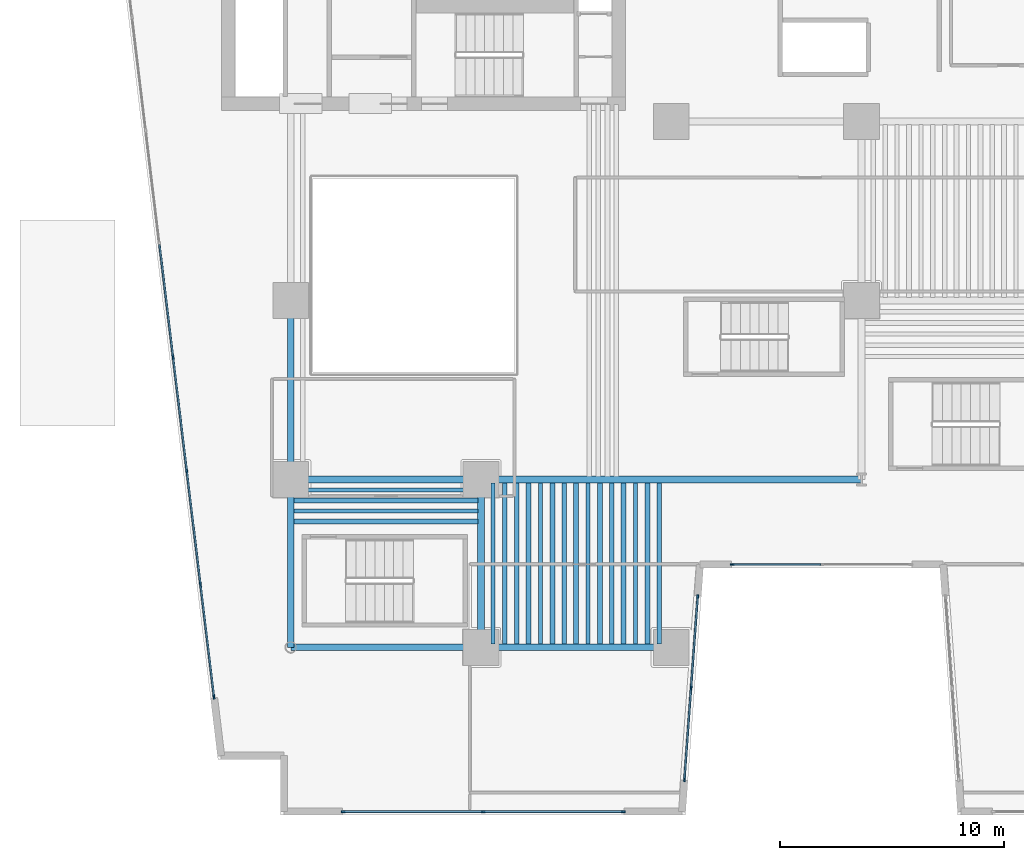
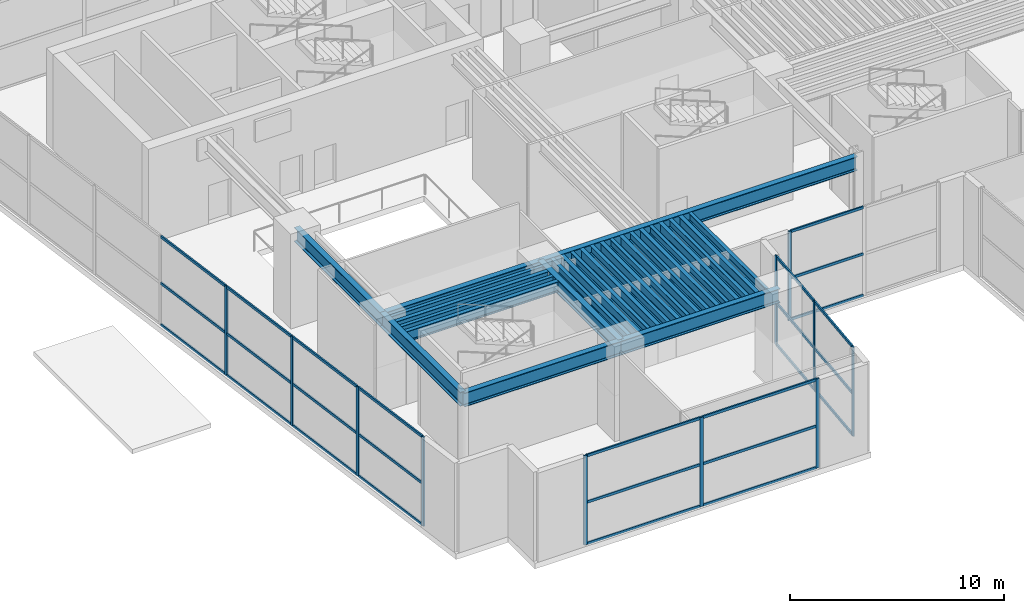
# One storey, part 2 of 17: 38 members, 26 beams, 4 elements without a shape of their own.
"""IFC4 building model written with IfcOpenShell, lengths in metres."""

import ifcopenshell
import ifcopenshell.guid

model = None  # the IFC model being written
_history = None  # IfcOwnerHistory: only IFC2X3 demands one
_inside = {}  # id of a spatial element -> (the spatial element, [elements in it])
_under = {}  # id of a project, library or spatial element -> (it, [spatial elements below it])
_declared = {}  # id of a project -> (the project, [libraries it declares])
_typed = {}  # id of a type object -> (the type object, [elements of that type])
_made_of = {}  # id of a material, layer set ... -> (it, [elements and type objects made of it])


def new_model(schema):
    """Start an empty IFC model of exactly this schema.

    Asked for "IFC4X3", IfcOpenShell would pick the latest addendum, in which some entities
    have other attributes; the version numbers below select the first issue.
    IFC2X3 requires an IfcOwnerHistory on every rooted entity: one is made here for all.
    """
    global model, _history
    if schema == "IFC4X3":
        model = ifcopenshell.file(schema_version=(4, 3, 0, 0))
    else:
        model = ifcopenshell.file(schema=schema)
    _inside.clear()
    _under.clear()
    _declared.clear()
    _typed.clear()
    _made_of.clear()
    _history = None
    if model.schema == "IFC2X3":
        org = make("IfcOrganization", Name="unknown")
        user = make(
            "IfcPersonAndOrganization",
            ThePerson=make("IfcPerson", FamilyName="unknown"),
            TheOrganization=org,
        )
        app = make(
            "IfcApplication",
            ApplicationDeveloper=org,
            Version="unknown",
            ApplicationFullName="unknown",
            ApplicationIdentifier="unknown",
        )
        _history = make(
            "IfcOwnerHistory",
            OwningUser=user,
            OwningApplication=app,
            ChangeAction="ADDED",
            CreationDate=0,
        )
    return model


def make(cls, **values):
    """One entity of the class cls with the attributes given. An attribute that is None is left unset."""
    return model.create_entity(
        cls, **{name: value for name, value in values.items() if value is not None}
    )


def rooted(cls, **values):
    """An entity with a GlobalId (a new one), such as an element, a storey or a relation."""
    return make(cls, GlobalId=ifcopenshell.guid.new(), OwnerHistory=_history, **values)


def si_unit(unit_type, name, prefix=None):
    """IfcSIUnit, for example si_unit("LENGTHUNIT", "METRE", prefix="MILLI")."""
    return make("IfcSIUnit", UnitType=unit_type, Prefix=prefix, Name=name)


def assignment(units):
    """IfcUnitAssignment: the units of a project."""
    return None if units is None else make("IfcUnitAssignment", Units=units)


def point(xyz):
    """IfcCartesianPoint."""
    return None if xyz is None else make("IfcCartesianPoint", Coordinates=xyz)


def direction(xyz):
    """IfcDirection."""
    return None if xyz is None else make("IfcDirection", DirectionRatios=xyz)


def frame(location, z_axis=None, x_axis=None):
    """IfcAxis2Placement3D, a coordinate frame: its origin and axes. An axis left out is left unset."""
    return make(
        "IfcAxis2Placement3D",
        Location=point(location),
        Axis=direction(z_axis),
        RefDirection=direction(x_axis),
    )


def frame_2d(location, x_axis=None):
    """IfcAxis2Placement2D, a coordinate frame in the plane: its origin and x axis."""
    return make(
        "IfcAxis2Placement2D", Location=point(location), RefDirection=direction(x_axis)
    )


def origin():
    """The frame at (0, 0, 0) with its axes left unset."""
    return frame((0.0, 0.0, 0.0))


def origin_2d():
    """The frame at (0, 0) in the plane with its x axis left unset."""
    return frame_2d((0.0, 0.0))


def place(relative_to, where):
    """IfcLocalPlacement: puts the frame where relative to a parent placement (None: the world)."""
    return make(
        "IfcLocalPlacement", PlacementRelTo=relative_to, RelativePlacement=where
    )


def context(
    kind, dimensions, precision=None, world=None, true_north=None, identifier=None
):
    """IfcGeometricRepresentationContext, for example the 3D "Model" context."""
    return make(
        "IfcGeometricRepresentationContext",
        ContextIdentifier=identifier,
        ContextType=kind,
        CoordinateSpaceDimension=dimensions,
        Precision=precision,
        WorldCoordinateSystem=world,
        TrueNorth=true_north,
    )


def subcontext(parent, identifier, kind, view, scale=None):
    """IfcGeometricRepresentationSubContext, for example "Body" below "Model"."""
    return make(
        "IfcGeometricRepresentationSubContext",
        ContextIdentifier=identifier,
        ContextType=kind,
        ParentContext=parent,
        TargetScale=scale,
        TargetView=view,
    )


def project(units=None, contexts=None):
    """IfcProject with its units and contexts."""
    return rooted(
        "IfcProject",
        Name="project",
        RepresentationContexts=contexts,
        UnitsInContext=assignment(units),
    )


def spatial(cls, under=None, at=None, **own):
    """A site, building, storey or space (cls), placed at a placement, below another one or the project."""
    s = rooted(cls, ObjectPlacement=at, **own)
    if under is not None:
        _under.setdefault(under.id(), (under, []))[1].append(s)
    return s


def profile(cls, at=None, kind="AREA", **sizes):
    """A parametric profile (cls). Its sizes go by their IFC names, for example OverallWidth=200.0."""
    return make(cls, ProfileType=kind, Position=at, **sizes)


def rectangle(**sizes):
    """IfcRectangleProfileDef."""
    return profile("IfcRectangleProfileDef", **sizes)


def i_section(**sizes):
    """IfcIShapeProfileDef."""
    return profile("IfcIShapeProfileDef", **sizes)


def extrude(swept, where, along, depth):
    """IfcExtrudedAreaSolid: the profile swept, set in the frame where, extruded along a direction by depth."""
    return make(
        "IfcExtrudedAreaSolid",
        SweptArea=swept,
        Position=where,
        ExtrudedDirection=direction(along),
        Depth=depth,
    )


def shape(context_of_items, identifier, shape_type, items):
    """IfcShapeRepresentation: the items that make up one representation, for example the "Body"."""
    return make(
        "IfcShapeRepresentation",
        ContextOfItems=context_of_items,
        RepresentationIdentifier=identifier,
        RepresentationType=shape_type,
        Items=items,
    )


def material(Name=None, Category=None):
    """IfcMaterial."""
    return make("IfcMaterial", Name=Name, Category=Category)


def layer(
    of_material, thickness, ventilated=None, Name=None, Category=None, Priority=None
):
    """IfcMaterialLayer: one layer of a wall or slab, of a material (None: an air gap)."""
    return make(
        "IfcMaterialLayer",
        Material=of_material,
        LayerThickness=thickness,
        IsVentilated=ventilated,
        Name=Name,
        Category=Category,
        Priority=Priority,
    )


def layer_set(layers, Name=None):
    """IfcMaterialLayerSet."""
    return make("IfcMaterialLayerSet", MaterialLayers=layers, LayerSetName=Name)


def material_profile(
    of_material, cross_section, Name=None, Category=None, Priority=None
):
    """IfcMaterialProfile: a cross section and its material."""
    return make(
        "IfcMaterialProfile",
        Name=Name,
        Material=of_material,
        Profile=cross_section,
        Priority=Priority,
        Category=Category,
    )


def profile_set(profiles, Name=None, composite=None):
    """IfcMaterialProfileSet."""
    return make(
        "IfcMaterialProfileSet",
        Name=Name,
        MaterialProfiles=profiles,
        CompositeProfile=composite,
    )


def made_of(thing, what):
    """Note that an element or type object is made of a material, layer set ...; save() writes the relation."""
    if what is not None:
        _made_of.setdefault(what.id(), (what, []))[1].append(thing)
    return thing


def type_object(cls, material=None, **own):
    """A type object (cls), such as IfcWallType, which elements share."""
    return made_of(rooted(cls, **own), material)


def element(
    cls,
    number,
    at=None,
    inside=None,
    cuts=None,
    type_object=None,
    material=None,
    context=None,
    identifier="Body",
    shape_type=None,
    held_by="IfcProductDefinitionShape",
    body=None,
    shapes=None,
    **own,
):
    """One element of the class cls, such as IfcWall. Its Tag is "e" and its number.

    at: its placement. inside: the storey or other place that contains it. cuts: it is an
    opening in that element (IfcRelVoidsElement). A single representation is given by context,
    identifier, shape_type and body (its items); several are given by shapes. held_by: the class
    of the entity that holds the representations. save() writes the other relations.
    """
    e = rooted(cls, Tag="e%d" % number, ObjectPlacement=at, **own)
    if body is not None:
        shapes = [shape(context, identifier, shape_type, body)]
    if shapes is not None:
        e.Representation = make(held_by, Representations=shapes)
    if inside is not None:
        _inside.setdefault(inside.id(), (inside, []))[1].append(e)
    if cuts is not None:
        rooted(
            "IfcRelVoidsElement", RelatingBuildingElement=cuts, RelatedOpeningElement=e
        )
    if type_object is not None:
        _typed.setdefault(type_object.id(), (type_object, []))[1].append(e)
    return made_of(e, material)


def aggregate(whole, parts):
    """IfcRelAggregates: a whole, such as a stair, and the parts it consists of."""
    return rooted("IfcRelAggregates", RelatingObject=whole, RelatedObjects=parts)


def save(model, path):
    """Write the relations noted so far, then the file.

    IfcRelAggregates (storeys below a building ...), IfcRelContainedInSpatialStructure (elements
    in a storey), IfcRelDefinesByType, IfcRelAssociatesMaterial and IfcRelDeclares: one each for
    every whole, place, type object, material and project.
    """
    for whole, parts in _under.values():
        aggregate(whole, parts)
    for where, things in _inside.values():
        rooted(
            "IfcRelContainedInSpatialStructure",
            RelatedElements=things,
            RelatingStructure=where,
        )
    for kind, things in _typed.values():
        rooted("IfcRelDefinesByType", RelatedObjects=things, RelatingType=kind)
    for what, things in _made_of.values():
        rooted("IfcRelAssociatesMaterial", RelatedObjects=things, RelatingMaterial=what)
    for by, libraries in _declared.values():
        rooted("IfcRelDeclares", RelatingContext=by, RelatedDefinitions=libraries)
    model.write(path)


model = new_model("IFC4")

# Units and contexts
model_context = context("Model", 3, precision=1e-05, world=origin(), true_north=direction((0.0, 1.0)))
body_context = subcontext(model_context, "Body", "Model", "MODEL_VIEW")
ifc_project = project(units=[si_unit("LENGTHUNIT", "METRE"), si_unit("AREAUNIT", "SQUARE_METRE"), si_unit("VOLUMEUNIT", "CUBIC_METRE"), si_unit("PLANEANGLEUNIT", "RADIAN"), si_unit("MASSUNIT", "GRAM", prefix="KILO")], contexts=[model_context])

# Site, building, storey
site_placement = place(None, origin())
site = spatial("IfcSite", under=ifc_project, at=site_placement, CompositionType="ELEMENT")
building_placement = place(site_placement, origin())
building = spatial("IfcBuilding", under=site, at=building_placement, Name="Caeloran Harvest Quay", CompositionType="ELEMENT")
storey_placement = place(building_placement, frame((0.0, 0.0, 5.39990234375)))
storey = spatial("IfcBuildingStorey", under=building, at=storey_placement, Name="L02", CompositionType="ELEMENT", Elevation=5.39990234375)

# Beams
ifc_material_1 = material(Name="Steel S355J2", Category="steel")
ifc_material_profile_1 = material_profile(ifc_material_1, i_section(OverallWidth=0.300048828125, OverallDepth=0.800048828125, WebThickness=0.017578125, FlangeThickness=0.032958984375, FilletRadius=0.030029296875, at=origin_2d()), Name="HE 800 B")
ifc_profile_set_1 = profile_set([ifc_material_profile_1], Name="Steel S355J2")
beam_type_1 = type_object("IfcBeamType", Name="BM-PG-1-HE_800_B", PredefinedType="BEAM", material=ifc_profile_set_1)
for number, where, z_axis, x_axis, name in (
    (1, (8.5, 7.5, 4.68017578125), (1.0, 0.0, 0.0), (0.0, 1.0, 0.0), "L02 Primary East-West Girder Y=7.5"),
    (2, (17.0, 7.5, 4.68017578125), (1.0, 0.0, 0.0), (0.0, 1.0, 0.0), "L02 Primary East-West Girder Y=7.5"),
    (3, (8.5, 15.0, 4.68017578125), (1.0, 0.0, 0.0), (0.0, 1.0, 0.0), "L02 Primary East-West Girder Y=15.0"),
):
    element("IfcBeam", number, at=place(storey_placement, frame(where, z_axis=z_axis, x_axis=x_axis)), inside=storey, type_object=beam_type_1, Name=name, PredefinedType="BEAM", context=body_context, shape_type="SweptSolid", body=[
        extrude(i_section(OverallWidth=0.300048828125, OverallDepth=0.800048828125, WebThickness=0.017578125, FlangeThickness=0.032958984375, FilletRadius=0.030029296875, at=origin_2d()), origin(), (0.0, 0.0, 1.0), 8.5),
    ])
beam_1_placement = place(storey_placement, frame((17.0, 15.0, 4.68017578125), z_axis=(1.0, 0.0, 0.0), x_axis=(0.0, 1.0, 0.0)))
element("IfcBeam", 4, at=beam_1_placement, inside=storey, type_object=beam_type_1, Name="L02 Primary East-West Girder Y=15.0", PredefinedType="BEAM", context=body_context, shape_type="SweptSolid", body=[
    extrude(i_section(OverallWidth=0.300048828125, OverallDepth=0.800048828125, WebThickness=0.017578125, FlangeThickness=0.032958984375, FilletRadius=0.030029296875, at=origin_2d()), origin(), (0.0, 0.0, 1.0), 17.0),
])
beam_2_placement = place(storey_placement, frame((8.5, 7.5, 4.68017578125), z_axis=(0.0, 1.0, 0.0), x_axis=(-1.0, 0.0, 0.0)))
element("IfcBeam", 5, at=beam_2_placement, inside=storey, type_object=beam_type_1, Name="L02 Primary North-South Girder X=8.5", PredefinedType="BEAM", context=body_context, shape_type="SweptSolid", body=[
    extrude(i_section(OverallWidth=0.300048828125, OverallDepth=0.800048828125, WebThickness=0.017578125, FlangeThickness=0.032958984375, FilletRadius=0.030029296875, at=origin_2d()), origin(), (0.0, 0.0, 1.0), 7.5),
])
beam_3_placement = place(storey_placement, frame((8.5, 15.0, 4.68017578125), z_axis=(0.0, 1.0, 0.0), x_axis=(-1.0, 0.0, 0.0)))
element("IfcBeam", 6, at=beam_3_placement, inside=storey, type_object=beam_type_1, Name="L02 Primary North-South Girder X=8.5", PredefinedType="BEAM", context=body_context, shape_type="SweptSolid", body=[
    extrude(i_section(OverallWidth=0.300048828125, OverallDepth=0.800048828125, WebThickness=0.017578125, FlangeThickness=0.032958984375, FilletRadius=0.030029296875, at=origin_2d()), origin(), (0.0, 0.0, 1.0), 8.0),
])
beam_4_placement = place(storey_placement, frame((17.0, 7.5, 4.68017578125), z_axis=(0.0, 1.0, 0.0), x_axis=(-1.0, 0.0, 0.0)))
element("IfcBeam", 7, at=beam_4_placement, inside=storey, type_object=beam_type_1, Name="L02 Primary North-South Girder X=17.0", PredefinedType="BEAM", context=body_context, shape_type="SweptSolid", body=[
    extrude(i_section(OverallWidth=0.300048828125, OverallDepth=0.800048828125, WebThickness=0.017578125, FlangeThickness=0.032958984375, FilletRadius=0.030029296875, at=origin_2d()), origin(), (0.0, 0.0, 1.0), 7.5),
])
ifc_material_profile_2 = material_profile(ifc_material_1, i_section(OverallWidth=0.219970703125, OverallDepth=0.60009765625, WebThickness=0.011962890625, FlangeThickness=0.01904296875, FilletRadius=0.02392578125, at=origin_2d()), Name="IPE 600")
ifc_profile_set_2 = profile_set([ifc_material_profile_2], Name="Steel S355J2")
beam_type_2 = type_object("IfcBeamType", Name="BM-SB-1-IPE_600", PredefinedType="JOIST", material=ifc_profile_set_2)
for number, where, z_axis, x_axis, name in (
    (8, (18.0625, 7.64501953125, 4.780029296875), (0.0, 1.0, 0.0), (-1.0, 0.0, 0.0), "L02 Secondary Composite Joist"),
    (9, (19.125, 7.64501953125, 4.780029296875), (0.0, 1.0, 0.0), (-1.0, 0.0, 0.0), "L02 Secondary Composite Joist"),
    (10, (20.1875, 7.64501953125, 4.780029296875), (0.0, 1.0, 0.0), (-1.0, 0.0, 0.0), "L02 Secondary Composite Joist"),
    (11, (21.25, 7.64501953125, 4.780029296875), (0.0, 1.0, 0.0), (-1.0, 0.0, 0.0), "L02 Secondary Composite Joist"),
    (12, (22.3125, 7.64501953125, 4.780029296875), (0.0, 1.0, 0.0), (-1.0, 0.0, 0.0), "L02 Secondary Composite Joist"),
    (13, (23.375, 7.64501953125, 4.780029296875), (0.0, 1.0, 0.0), (-1.0, 0.0, 0.0), "L02 Secondary Composite Joist"),
    (14, (24.4375, 7.64501953125, 4.780029296875), (0.0, 1.0, 0.0), (-1.0, 0.0, 0.0), "L02 Secondary Composite Joist"),
):
    element("IfcBeam", number, at=place(storey_placement, frame(where, z_axis=z_axis, x_axis=x_axis)), inside=storey, type_object=beam_type_2, Name=name, PredefinedType="JOIST", context=body_context, shape_type="SweptSolid", body=[
        extrude(i_section(OverallWidth=0.219970703125, OverallDepth=0.60009765625, WebThickness=0.011962890625, FlangeThickness=0.01904296875, FilletRadius=0.02392578125, at=origin_2d()), origin(), (0.0, 0.0, 1.0), 7.2099609375),
    ])
for number, where, z_axis, x_axis, name in (
    (15, (8.64501953125, 13.125, 4.780029296875), (1.0, 0.0, 0.0), (0.0, 1.0, 0.0), "L02 Secondary East-West Composite Joist"),
    (16, (8.64501953125, 14.0625, 4.780029296875), (1.0, 0.0, 0.0), (0.0, 1.0, 0.0), "L02 Secondary East-West Composite Joist"),
):
    element("IfcBeam", number, at=place(storey_placement, frame(where, z_axis=z_axis, x_axis=x_axis)), inside=storey, type_object=beam_type_2, Name=name, PredefinedType="JOIST", context=body_context, shape_type="SweptSolid", body=[
        extrude(i_section(OverallWidth=0.219970703125, OverallDepth=0.60009765625, WebThickness=0.011962890625, FlangeThickness=0.01904296875, FilletRadius=0.02392578125, at=origin_2d()), origin(), (0.0, 0.0, 1.0), 8.2099609375),
    ])
ifc_material_profile_3 = material_profile(ifc_material_1, i_section(OverallWidth=0.18994140625, OverallDepth=0.449951171875, WebThickness=0.009521484375, FlangeThickness=0.0146484375, FilletRadius=0.02099609375, at=origin_2d()), Name="IPE 450")
ifc_profile_set_3 = profile_set([ifc_material_profile_3], Name="Steel S355J2")
beam_type_3 = type_object("IfcBeamType", Name="BM-SB-3-IPE_450", PredefinedType="JOIST", material=ifc_profile_set_3)
for number, where, z_axis, x_axis, name in (
    (17, (17.53125, 7.64501953125, 4.85498046875), (0.0, 1.0, 0.0), (-1.0, 0.0, 0.0), "L02 Secondary Composite Joist"),
    (18, (18.59375, 7.64501953125, 4.85498046875), (0.0, 1.0, 0.0), (-1.0, 0.0, 0.0), "L02 Secondary Composite Joist"),
    (19, (19.65625, 7.64501953125, 4.85498046875), (0.0, 1.0, 0.0), (-1.0, 0.0, 0.0), "L02 Secondary Composite Joist"),
    (20, (20.71875, 7.64501953125, 4.85498046875), (0.0, 1.0, 0.0), (-1.0, 0.0, 0.0), "L02 Secondary Composite Joist"),
    (21, (21.78125, 7.64501953125, 4.85498046875), (0.0, 1.0, 0.0), (-1.0, 0.0, 0.0), "L02 Secondary Composite Joist"),
    (22, (22.84375, 7.64501953125, 4.85498046875), (0.0, 1.0, 0.0), (-1.0, 0.0, 0.0), "L02 Secondary Composite Joist"),
    (23, (23.90625, 7.64501953125, 4.85498046875), (0.0, 1.0, 0.0), (-1.0, 0.0, 0.0), "L02 Secondary Composite Joist"),
    (24, (24.96875, 7.64501953125, 4.85498046875), (0.0, 1.0, 0.0), (-1.0, 0.0, 0.0), "L02 Secondary Composite Joist"),
):
    element("IfcBeam", number, at=place(storey_placement, frame(where, z_axis=z_axis, x_axis=x_axis)), inside=storey, type_object=beam_type_3, Name=name, PredefinedType="JOIST", context=body_context, shape_type="SweptSolid", body=[
        extrude(i_section(OverallWidth=0.18994140625, OverallDepth=0.449951171875, WebThickness=0.009521484375, FlangeThickness=0.0146484375, FilletRadius=0.02099609375, at=origin_2d()), origin(), (0.0, 0.0, 1.0), 7.2099609375),
    ])
for number, where, z_axis, x_axis, name in (
    (25, (8.64501953125, 13.59375, 4.85498046875), (1.0, 0.0, 0.0), (0.0, 1.0, 0.0), "L02 Secondary East-West Composite Joist"),
    (26, (8.64501953125, 14.53125, 4.85498046875), (1.0, 0.0, 0.0), (0.0, 1.0, 0.0), "L02 Secondary East-West Composite Joist"),
):
    element("IfcBeam", number, at=place(storey_placement, frame(where, z_axis=z_axis, x_axis=x_axis)), inside=storey, type_object=beam_type_3, Name=name, PredefinedType="JOIST", context=body_context, shape_type="SweptSolid", body=[
        extrude(i_section(OverallWidth=0.18994140625, OverallDepth=0.449951171875, WebThickness=0.009521484375, FlangeThickness=0.0146484375, FilletRadius=0.02099609375, at=origin_2d()), origin(), (0.0, 0.0, 1.0), 8.2099609375),
    ])

# Curtain wall, members
ifc_material_2 = material(Name="Aluminium 6063-T6 and Low-E Glazing", Category="aluminium")
ifc_layer = layer(ifc_material_2, 0.179931640625, Name="Aluminium 6063-T6 and Low-E Glazing")
ifc_layer_set = layer_set([ifc_layer], Name="Aluminium 6063-T6 and Low-E Glazing")
curtain_wall_type = type_object("IfcCurtainWallType", Name="CW-SYS-CW-1", PredefinedType="USERDEFINED", material=ifc_layer_set)
curtain_wall_1_placement = place(storey_placement, origin())
curtain_wall_1 = element("IfcCurtainWall", 27, at=curtain_wall_1_placement, inside=storey, type_object=curtain_wall_type, Name="L02 Unitised Curtain Wall CW-1 Run 3", ObjectType="CURTAIN_WALL", PredefinedType="USERDEFINED")
ifc_material_3 = material(Name="Aluminium 6063-T6", Category="aluminium")
ifc_material_profile_4 = material_profile(ifc_material_3, rectangle(XDim=0.080078125, YDim=0.179931640625, at=origin_2d()), Name="CW-MULLION-180")
ifc_profile_set_4 = profile_set([ifc_material_profile_4], Name="Aluminium 6063-T6")
member_type_1 = type_object("IfcMemberType", Name="CW-MULLION-180", PredefinedType="MULLION", material=ifc_profile_set_4)
member_1_placement = place(storey_placement, frame((5.068603515625, 5.281005859375, 0.0), z_axis=(0.0, 0.0, 1.0), x_axis=(-0.992815161093, -0.119658079138, 0.0)))
member_1 = element("IfcMember", 28, at=member_1_placement, type_object=member_type_1, Name="CW-1 mullion 1", PredefinedType="MULLION", context=body_context, shape_type="SweptSolid", body=[
    extrude(rectangle(XDim=0.080078125, YDim=0.179931640625, at=origin_2d()), origin(), (0.0, 0.0, 1.0), 5.080078125),
])
member_2_placement = place(storey_placement, frame((4.4619140625, 10.315185546875, 0.0), z_axis=(0.0, 0.0, 1.0), x_axis=(-0.992815161093, -0.119658079138, 0.0)))
member_2 = element("IfcMember", 29, at=member_2_placement, type_object=member_type_1, Name="CW-1 mullion 2", PredefinedType="MULLION", context=body_context, shape_type="SweptSolid", body=[
    extrude(rectangle(XDim=0.080078125, YDim=0.179931640625, at=origin_2d()), origin(), (0.0, 0.0, 1.0), 5.080078125),
])
member_3_placement = place(storey_placement, frame((3.850341796875, 15.38916015625, 0.0), z_axis=(0.0, 0.0, 1.0), x_axis=(-0.992815161093, -0.119658079138, 0.0)))
member_3 = element("IfcMember", 30, at=member_3_placement, type_object=member_type_1, Name="CW-1 mullion 3", PredefinedType="MULLION", context=body_context, shape_type="SweptSolid", body=[
    extrude(rectangle(XDim=0.080078125, YDim=0.179931640625, at=origin_2d()), origin(), (0.0, 0.0, 1.0), 5.080078125),
])
member_4_placement = place(storey_placement, frame((3.239013671875, 20.463134765625, 0.0), z_axis=(0.0, 0.0, 1.0), x_axis=(-0.992815161093, -0.119658079138, 0.0)))
member_4 = element("IfcMember", 31, at=member_4_placement, type_object=member_type_1, Name="CW-1 mullion 4", PredefinedType="MULLION", context=body_context, shape_type="SweptSolid", body=[
    extrude(rectangle(XDim=0.080078125, YDim=0.179931640625, at=origin_2d()), origin(), (0.0, 0.0, 1.0), 5.080078125),
])

# Curtain wall, member
curtain_wall_2_placement = place(storey_placement, origin())
curtain_wall_2 = element("IfcCurtainWall", 32, at=curtain_wall_2_placement, inside=storey, type_object=curtain_wall_type, Name="L02 Unitised Curtain Wall CW-1 Run 14", ObjectType="CURTAIN_WALL", PredefinedType="USERDEFINED")
member_5_placement = place(storey_placement, frame((28.227294921875, 11.199951171875, 0.0), z_axis=(0.0, 0.0, 1.0), x_axis=(0.0, -1.0, 0.0)))
member_5 = element("IfcMember", 33, at=member_5_placement, type_object=member_type_1, Name="CW-1 mullion 3", PredefinedType="MULLION", context=body_context, shape_type="SweptSolid", body=[
    extrude(rectangle(XDim=0.080078125, YDim=0.179931640625, at=origin_2d()), origin(), (0.0, 0.0, 1.0), 5.080078125),
])

# Curtain wall, members
curtain_wall_3_placement = place(storey_placement, origin())
curtain_wall_3 = element("IfcCurtainWall", 34, at=curtain_wall_3_placement, inside=storey, type_object=curtain_wall_type, Name="L02 Unitised Curtain Wall CW-1 Run 15", ObjectType="CURTAIN_WALL", PredefinedType="USERDEFINED")
member_6_placement = place(storey_placement, frame((26.68310546875, 9.763916015625, 0.0), z_axis=(0.0, 0.0, 1.0), x_axis=(0.997385061295, -0.072270599173, 0.0)))
member_6 = element("IfcMember", 35, at=member_6_placement, type_object=member_type_1, Name="CW-1 mullion 1", PredefinedType="MULLION", context=body_context, shape_type="SweptSolid", body=[
    extrude(rectangle(XDim=0.080078125, YDim=0.179931640625, at=origin_2d()), origin(), (0.0, 0.0, 1.0), 5.080078125),
])
member_7_placement = place(storey_placement, frame((26.38720703125, 5.679931640625, 0.0), z_axis=(0.0, 0.0, 1.0), x_axis=(0.997385061295, -0.072270599173, 0.0)))
member_7 = element("IfcMember", 36, at=member_7_placement, type_object=member_type_1, Name="CW-1 mullion 2", PredefinedType="MULLION", context=body_context, shape_type="SweptSolid", body=[
    extrude(rectangle(XDim=0.080078125, YDim=0.179931640625, at=origin_2d()), origin(), (0.0, 0.0, 1.0), 5.080078125),
])
member_8_placement = place(storey_placement, frame((26.09130859375, 1.59619140625, 0.0), z_axis=(0.0, 0.0, 1.0), x_axis=(0.997385061295, -0.072270599173, 0.0)))
member_8 = element("IfcMember", 37, at=member_8_placement, type_object=member_type_1, Name="CW-1 mullion 3", PredefinedType="MULLION", context=body_context, shape_type="SweptSolid", body=[
    extrude(rectangle(XDim=0.080078125, YDim=0.179931640625, at=origin_2d()), origin(), (0.0, 0.0, 1.0), 5.080078125),
])

curtain_wall_4_placement = place(storey_placement, origin())
curtain_wall_4 = element("IfcCurtainWall", 38, at=curtain_wall_4_placement, inside=storey, type_object=curtain_wall_type, Name="L02 Unitised Curtain Wall CW-1 Run 16", ObjectType="CURTAIN_WALL", PredefinedType="USERDEFINED")
member_9_placement = place(storey_placement, frame((23.34716796875, 0.159912109375, 0.0), z_axis=(0.0, 0.0, 1.0), x_axis=(0.0, -1.0, 0.0)))
member_9 = element("IfcMember", 39, at=member_9_placement, type_object=member_type_1, Name="CW-1 mullion 1", PredefinedType="MULLION", context=body_context, shape_type="SweptSolid", body=[
    extrude(rectangle(XDim=0.080078125, YDim=0.179931640625, at=origin_2d()), origin(), (0.0, 0.0, 1.0), 5.080078125),
])
member_10_placement = place(storey_placement, frame((17.095703125, 0.159912109375, 0.0), z_axis=(0.0, 0.0, 1.0), x_axis=(0.0, -1.0, 0.0)))
member_10 = element("IfcMember", 40, at=member_10_placement, type_object=member_type_1, Name="CW-1 mullion 2", PredefinedType="MULLION", context=body_context, shape_type="SweptSolid", body=[
    extrude(rectangle(XDim=0.080078125, YDim=0.179931640625, at=origin_2d()), origin(), (0.0, 0.0, 1.0), 5.080078125),
])
member_11_placement = place(storey_placement, frame((10.843994140625, 0.159912109375, 0.0), z_axis=(0.0, 0.0, 1.0), x_axis=(0.0, -1.0, 0.0)))
member_11 = element("IfcMember", 41, at=member_11_placement, type_object=member_type_1, Name="CW-1 mullion 3", PredefinedType="MULLION", context=body_context, shape_type="SweptSolid", body=[
    extrude(rectangle(XDim=0.080078125, YDim=0.179931640625, at=origin_2d()), origin(), (0.0, 0.0, 1.0), 5.080078125),
])

# Member
ifc_material_profile_5 = material_profile(ifc_material_3, rectangle(XDim=0.080078125, YDim=0.14990234375, at=origin_2d()), Name="CW-TRANSOM-150")
ifc_profile_set_5 = profile_set([ifc_material_profile_5], Name="Aluminium 6063-T6")
member_type_2 = type_object("IfcMemberType", Name="CW-TRANSOM-150", PredefinedType="USERDEFINED", material=ifc_profile_set_5)
member_12_placement = place(storey_placement, frame((5.06396484375, 5.32080078125, 0.0400390625), z_axis=(-0.119662199144, 0.992814664525, 0.0), x_axis=(-0.992814664525, -0.119662199144, 0.0)))
member_12 = element("IfcMember", 42, at=member_12_placement, type_object=member_type_2, Name="CW-1 transom 1.1", ObjectType="TRANSOM", PredefinedType="USERDEFINED", context=body_context, shape_type="SweptSolid", body=[
    extrude(rectangle(XDim=0.080078125, YDim=0.14990234375, at=origin_2d()), origin(), (0.0, 0.0, 1.0), 4.990478515625),
])

member_13_placement = place(storey_placement, frame((5.06396484375, 5.32080078125, 2.400146484375), z_axis=(-0.119662199144, 0.992814664525, 0.0), x_axis=(-0.992814664525, -0.119662199144, 0.0)))
member_13 = element("IfcMember", 43, at=member_13_placement, type_object=member_type_2, Name="CW-1 transom 1.2", ObjectType="TRANSOM", PredefinedType="USERDEFINED", context=body_context, shape_type="SweptSolid", body=[
    extrude(rectangle(XDim=0.080078125, YDim=0.14990234375, at=origin_2d()), origin(), (0.0, 0.0, 1.0), 4.990478515625),
])

member_14_placement = place(storey_placement, frame((5.06396484375, 5.32080078125, 5.0400390625), z_axis=(-0.119662199144, 0.992814664525, 0.0), x_axis=(-0.992814664525, -0.119662199144, 0.0)))
member_14 = element("IfcMember", 44, at=member_14_placement, type_object=member_type_2, Name="CW-1 transom 1.3", ObjectType="TRANSOM", PredefinedType="USERDEFINED", context=body_context, shape_type="SweptSolid", body=[
    extrude(rectangle(XDim=0.080078125, YDim=0.14990234375, at=origin_2d()), origin(), (0.0, 0.0, 1.0), 4.990478515625),
])

member_15_placement = place(storey_placement, frame((4.457275390625, 10.35498046875, 0.0400390625), z_axis=(-0.119679128444, 0.99281262392, 0.0), x_axis=(-0.99281262392, -0.119679128444, 0.0)))
member_15 = element("IfcMember", 45, at=member_15_placement, type_object=member_type_2, Name="CW-1 transom 2.1", ObjectType="TRANSOM", PredefinedType="USERDEFINED", context=body_context, shape_type="SweptSolid", body=[
    extrude(rectangle(XDim=0.080078125, YDim=0.14990234375, at=origin_2d()), origin(), (0.0, 0.0, 1.0), 5.030517578125),
])

member_16_placement = place(storey_placement, frame((4.457275390625, 10.35498046875, 2.400146484375), z_axis=(-0.119679128444, 0.99281262392, 0.0), x_axis=(-0.99281262392, -0.119679128444, 0.0)))
member_16 = element("IfcMember", 46, at=member_16_placement, type_object=member_type_2, Name="CW-1 transom 2.2", ObjectType="TRANSOM", PredefinedType="USERDEFINED", context=body_context, shape_type="SweptSolid", body=[
    extrude(rectangle(XDim=0.080078125, YDim=0.14990234375, at=origin_2d()), origin(), (0.0, 0.0, 1.0), 5.030517578125),
])

member_17_placement = place(storey_placement, frame((4.457275390625, 10.35498046875, 5.0400390625), z_axis=(-0.119679128444, 0.99281262392, 0.0), x_axis=(-0.99281262392, -0.119679128444, 0.0)))
member_17 = element("IfcMember", 47, at=member_17_placement, type_object=member_type_2, Name="CW-1 transom 2.3", ObjectType="TRANSOM", PredefinedType="USERDEFINED", context=body_context, shape_type="SweptSolid", body=[
    extrude(rectangle(XDim=0.080078125, YDim=0.14990234375, at=origin_2d()), origin(), (0.0, 0.0, 1.0), 5.030517578125),
])

member_18_placement = place(storey_placement, frame((3.845703125, 15.428955078125, 0.0400390625), z_axis=(-0.119679128444, 0.99281262392, 0.0), x_axis=(-0.99281262392, -0.119679128444, 0.0)))
member_18 = element("IfcMember", 48, at=member_18_placement, type_object=member_type_2, Name="CW-1 transom 3.1", ObjectType="TRANSOM", PredefinedType="USERDEFINED", context=body_context, shape_type="SweptSolid", body=[
    extrude(rectangle(XDim=0.080078125, YDim=0.14990234375, at=origin_2d()), origin(), (0.0, 0.0, 1.0), 5.030517578125),
])

member_19_placement = place(storey_placement, frame((3.845703125, 15.428955078125, 2.400146484375), z_axis=(-0.119679128444, 0.99281262392, 0.0), x_axis=(-0.99281262392, -0.119679128444, 0.0)))
member_19 = element("IfcMember", 49, at=member_19_placement, type_object=member_type_2, Name="CW-1 transom 3.2", ObjectType="TRANSOM", PredefinedType="USERDEFINED", context=body_context, shape_type="SweptSolid", body=[
    extrude(rectangle(XDim=0.080078125, YDim=0.14990234375, at=origin_2d()), origin(), (0.0, 0.0, 1.0), 5.030517578125),
])

member_20_placement = place(storey_placement, frame((3.845703125, 15.428955078125, 5.0400390625), z_axis=(-0.119679128444, 0.99281262392, 0.0), x_axis=(-0.99281262392, -0.119679128444, 0.0)))
member_20 = element("IfcMember", 50, at=member_20_placement, type_object=member_type_2, Name="CW-1 transom 3.3", ObjectType="TRANSOM", PredefinedType="USERDEFINED", context=body_context, shape_type="SweptSolid", body=[
    extrude(rectangle(XDim=0.080078125, YDim=0.14990234375, at=origin_2d()), origin(), (0.0, 0.0, 1.0), 5.030517578125),
])

member_21_placement = place(storey_placement, frame((3.234130859375, 20.502685546875, 0.0400390625), z_axis=(-0.119673362237, 0.992813318994, 0.0), x_axis=(-0.992813318994, -0.119673362237, 0.0)))
member_21 = element("IfcMember", 51, at=member_21_placement, type_object=member_type_2, Name="CW-1 transom 4.1", ObjectType="TRANSOM", PredefinedType="USERDEFINED", context=body_context, shape_type="SweptSolid", body=[
    extrude(rectangle(XDim=0.080078125, YDim=0.14990234375, at=origin_2d()), origin(), (0.0, 0.0, 1.0), 5.03076171875),
])

member_22_placement = place(storey_placement, frame((3.234130859375, 20.502685546875, 2.400146484375), z_axis=(-0.119673362237, 0.992813318994, 0.0), x_axis=(-0.992813318994, -0.119673362237, 0.0)))
member_22 = element("IfcMember", 52, at=member_22_placement, type_object=member_type_2, Name="CW-1 transom 4.2", ObjectType="TRANSOM", PredefinedType="USERDEFINED", context=body_context, shape_type="SweptSolid", body=[
    extrude(rectangle(XDim=0.080078125, YDim=0.14990234375, at=origin_2d()), origin(), (0.0, 0.0, 1.0), 5.03076171875),
])

member_23_placement = place(storey_placement, frame((3.234130859375, 20.502685546875, 5.0400390625), z_axis=(-0.119673362237, 0.992813318994, 0.0), x_axis=(-0.992813318994, -0.119673362237, 0.0)))
member_23 = element("IfcMember", 53, at=member_23_placement, type_object=member_type_2, Name="CW-1 transom 4.3", ObjectType="TRANSOM", PredefinedType="USERDEFINED", context=body_context, shape_type="SweptSolid", body=[
    extrude(rectangle(XDim=0.080078125, YDim=0.14990234375, at=origin_2d()), origin(), (0.0, 0.0, 1.0), 5.03076171875),
])

aggregate(curtain_wall_1, [member_1, member_2, member_3, member_4, member_12, member_13, member_14, member_15, member_16, member_17, member_18, member_19, member_20, member_21, member_22, member_23])

member_24_placement = place(storey_placement, frame((32.179931640625, 11.199951171875, 0.0400390625), z_axis=(-1.0, 0.0, 0.0), x_axis=(0.0, -1.0, 0.0)))
member_24 = element("IfcMember", 54, at=member_24_placement, type_object=member_type_2, Name="CW-1 transom 2.1", ObjectType="TRANSOM", PredefinedType="USERDEFINED", context=body_context, shape_type="SweptSolid", body=[
    extrude(rectangle(XDim=0.080078125, YDim=0.14990234375, at=origin_2d()), origin(), (0.0, 0.0, 1.0), 3.912841796875),
])

member_25_placement = place(storey_placement, frame((32.179931640625, 11.199951171875, 2.400146484375), z_axis=(-1.0, 0.0, 0.0), x_axis=(0.0, -1.0, 0.0)))
member_25 = element("IfcMember", 55, at=member_25_placement, type_object=member_type_2, Name="CW-1 transom 2.2", ObjectType="TRANSOM", PredefinedType="USERDEFINED", context=body_context, shape_type="SweptSolid", body=[
    extrude(rectangle(XDim=0.080078125, YDim=0.14990234375, at=origin_2d()), origin(), (0.0, 0.0, 1.0), 3.912841796875),
])

member_26_placement = place(storey_placement, frame((32.179931640625, 11.199951171875, 5.0400390625), z_axis=(-1.0, 0.0, 0.0), x_axis=(0.0, -1.0, 0.0)))
member_26 = element("IfcMember", 56, at=member_26_placement, type_object=member_type_2, Name="CW-1 transom 2.3", ObjectType="TRANSOM", PredefinedType="USERDEFINED", context=body_context, shape_type="SweptSolid", body=[
    extrude(rectangle(XDim=0.080078125, YDim=0.14990234375, at=origin_2d()), origin(), (0.0, 0.0, 1.0), 3.912841796875),
])

aggregate(curtain_wall_2, [member_5, member_24, member_25, member_26])

member_27_placement = place(storey_placement, frame((26.68017578125, 9.723876953125, 0.0400390625), z_axis=(-0.07224971041, -0.997386574677, 0.0), x_axis=(0.997386574677, -0.07224971041, 0.0)))
member_27 = element("IfcMember", 57, at=member_27_placement, type_object=member_type_2, Name="CW-1 transom 1.1", ObjectType="TRANSOM", PredefinedType="USERDEFINED", context=body_context, shape_type="SweptSolid", body=[
    extrude(rectangle(XDim=0.080078125, YDim=0.14990234375, at=origin_2d()), origin(), (0.0, 0.0, 1.0), 4.014404296875),
])

member_28_placement = place(storey_placement, frame((26.68017578125, 9.723876953125, 2.400146484375), z_axis=(-0.07224971041, -0.997386574677, 0.0), x_axis=(0.997386574677, -0.07224971041, 0.0)))
member_28 = element("IfcMember", 58, at=member_28_placement, type_object=member_type_2, Name="CW-1 transom 1.2", ObjectType="TRANSOM", PredefinedType="USERDEFINED", context=body_context, shape_type="SweptSolid", body=[
    extrude(rectangle(XDim=0.080078125, YDim=0.14990234375, at=origin_2d()), origin(), (0.0, 0.0, 1.0), 4.014404296875),
])

member_29_placement = place(storey_placement, frame((26.68017578125, 9.723876953125, 5.0400390625), z_axis=(-0.07224971041, -0.997386574677, 0.0), x_axis=(0.997386574677, -0.07224971041, 0.0)))
member_29 = element("IfcMember", 59, at=member_29_placement, type_object=member_type_2, Name="CW-1 transom 1.3", ObjectType="TRANSOM", PredefinedType="USERDEFINED", context=body_context, shape_type="SweptSolid", body=[
    extrude(rectangle(XDim=0.080078125, YDim=0.14990234375, at=origin_2d()), origin(), (0.0, 0.0, 1.0), 4.014404296875),
])

member_30_placement = place(storey_placement, frame((26.38427734375, 5.64013671875, 0.0400390625), z_axis=(-0.07224971041, -0.997386574677, 0.0), x_axis=(0.997386574677, -0.07224971041, 0.0)))
member_30 = element("IfcMember", 60, at=member_30_placement, type_object=member_type_2, Name="CW-1 transom 2.1", ObjectType="TRANSOM", PredefinedType="USERDEFINED", context=body_context, shape_type="SweptSolid", body=[
    extrude(rectangle(XDim=0.080078125, YDim=0.14990234375, at=origin_2d()), origin(), (0.0, 0.0, 1.0), 4.014404296875),
])

member_31_placement = place(storey_placement, frame((26.38427734375, 5.64013671875, 2.400146484375), z_axis=(-0.07224971041, -0.997386574677, 0.0), x_axis=(0.997386574677, -0.07224971041, 0.0)))
member_31 = element("IfcMember", 61, at=member_31_placement, type_object=member_type_2, Name="CW-1 transom 2.2", ObjectType="TRANSOM", PredefinedType="USERDEFINED", context=body_context, shape_type="SweptSolid", body=[
    extrude(rectangle(XDim=0.080078125, YDim=0.14990234375, at=origin_2d()), origin(), (0.0, 0.0, 1.0), 4.014404296875),
])

member_32_placement = place(storey_placement, frame((26.38427734375, 5.64013671875, 5.0400390625), z_axis=(-0.07224971041, -0.997386574677, 0.0), x_axis=(0.997386574677, -0.07224971041, 0.0)))
member_32 = element("IfcMember", 62, at=member_32_placement, type_object=member_type_2, Name="CW-1 transom 2.3", ObjectType="TRANSOM", PredefinedType="USERDEFINED", context=body_context, shape_type="SweptSolid", body=[
    extrude(rectangle(XDim=0.080078125, YDim=0.14990234375, at=origin_2d()), origin(), (0.0, 0.0, 1.0), 4.014404296875),
])

aggregate(curtain_wall_3, [member_6, member_7, member_8, member_27, member_28, member_29, member_30, member_31, member_32])

member_33_placement = place(storey_placement, frame((23.30712890625, 0.159912109375, 0.0400390625), z_axis=(-1.0, 0.0, 0.0), x_axis=(0.0, -1.0, 0.0)))
member_33 = element("IfcMember", 63, at=member_33_placement, type_object=member_type_2, Name="CW-1 transom 1.1", ObjectType="TRANSOM", PredefinedType="USERDEFINED", context=body_context, shape_type="SweptSolid", body=[
    extrude(rectangle(XDim=0.080078125, YDim=0.14990234375, at=origin_2d()), origin(), (0.0, 0.0, 1.0), 6.171630859375),
])

member_34_placement = place(storey_placement, frame((23.30712890625, 0.159912109375, 2.400146484375), z_axis=(-1.0, 0.0, 0.0), x_axis=(0.0, -1.0, 0.0)))
member_34 = element("IfcMember", 64, at=member_34_placement, type_object=member_type_2, Name="CW-1 transom 1.2", ObjectType="TRANSOM", PredefinedType="USERDEFINED", context=body_context, shape_type="SweptSolid", body=[
    extrude(rectangle(XDim=0.080078125, YDim=0.14990234375, at=origin_2d()), origin(), (0.0, 0.0, 1.0), 6.171630859375),
])

member_35_placement = place(storey_placement, frame((23.30712890625, 0.159912109375, 5.0400390625), z_axis=(-1.0, 0.0, 0.0), x_axis=(0.0, -1.0, 0.0)))
member_35 = element("IfcMember", 65, at=member_35_placement, type_object=member_type_2, Name="CW-1 transom 1.3", ObjectType="TRANSOM", PredefinedType="USERDEFINED", context=body_context, shape_type="SweptSolid", body=[
    extrude(rectangle(XDim=0.080078125, YDim=0.14990234375, at=origin_2d()), origin(), (0.0, 0.0, 1.0), 6.171630859375),
])

member_36_placement = place(storey_placement, frame((17.0556640625, 0.159912109375, 0.0400390625), z_axis=(-1.0, 0.0, 0.0), x_axis=(0.0, -1.0, 0.0)))
member_36 = element("IfcMember", 66, at=member_36_placement, type_object=member_type_2, Name="CW-1 transom 2.1", ObjectType="TRANSOM", PredefinedType="USERDEFINED", context=body_context, shape_type="SweptSolid", body=[
    extrude(rectangle(XDim=0.080078125, YDim=0.14990234375, at=origin_2d()), origin(), (0.0, 0.0, 1.0), 6.171630859375),
])

member_37_placement = place(storey_placement, frame((17.0556640625, 0.159912109375, 2.400146484375), z_axis=(-1.0, 0.0, 0.0), x_axis=(0.0, -1.0, 0.0)))
member_37 = element("IfcMember", 67, at=member_37_placement, type_object=member_type_2, Name="CW-1 transom 2.2", ObjectType="TRANSOM", PredefinedType="USERDEFINED", context=body_context, shape_type="SweptSolid", body=[
    extrude(rectangle(XDim=0.080078125, YDim=0.14990234375, at=origin_2d()), origin(), (0.0, 0.0, 1.0), 6.171630859375),
])

member_38_placement = place(storey_placement, frame((17.0556640625, 0.159912109375, 5.0400390625), z_axis=(-1.0, 0.0, 0.0), x_axis=(0.0, -1.0, 0.0)))
member_38 = element("IfcMember", 68, at=member_38_placement, type_object=member_type_2, Name="CW-1 transom 2.3", ObjectType="TRANSOM", PredefinedType="USERDEFINED", context=body_context, shape_type="SweptSolid", body=[
    extrude(rectangle(XDim=0.080078125, YDim=0.14990234375, at=origin_2d()), origin(), (0.0, 0.0, 1.0), 6.171630859375),
])

aggregate(curtain_wall_4, [member_9, member_10, member_11, member_33, member_34, member_35, member_36, member_37, member_38])

save(model, "model.ifc")
